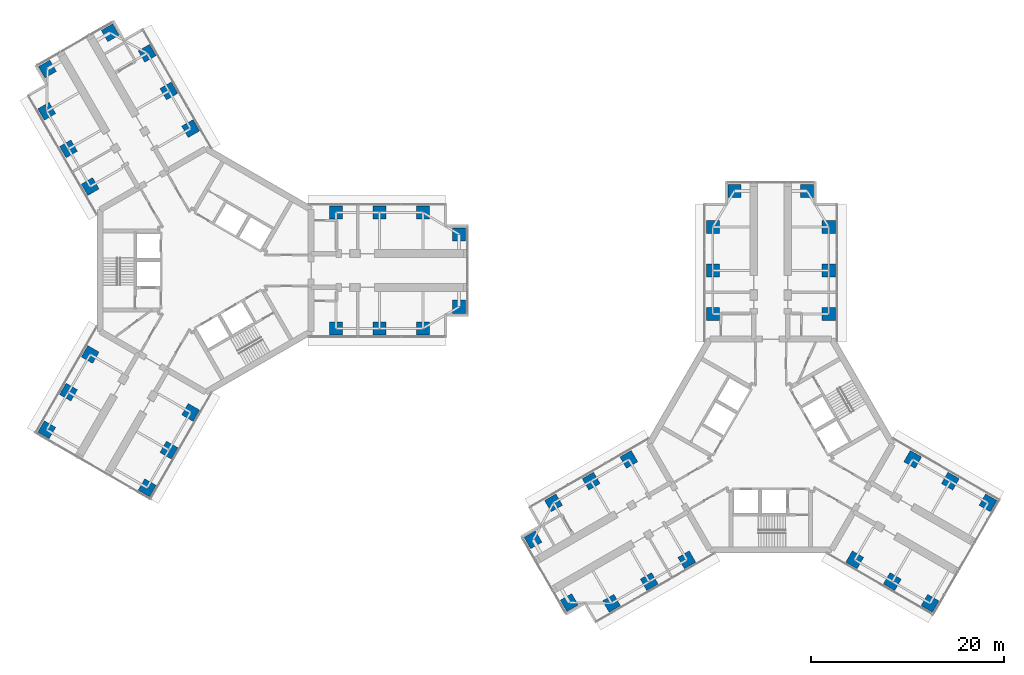
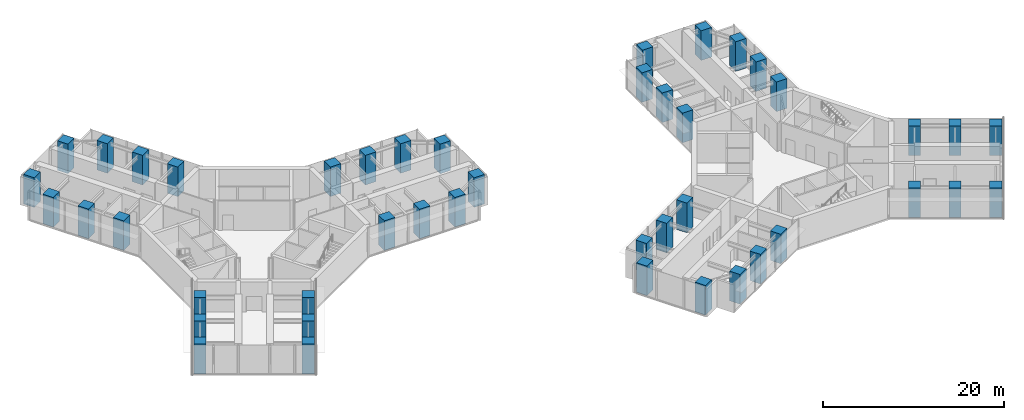
# One storey, part 1 of 21: 44 columns.
"""IFC4 building model written with IfcOpenShell, lengths in metres."""

from ifc_helpers import new_model, si_unit, direction, frame, origin, origin_2d, place, context, subcontext, project, spatial, rectangle, extrude, material, material_profile, profile_set, type_object, element, save


model = new_model("IFC4")

# Units and contexts
model_context = context("Model", 3, precision=1e-05, world=origin(), true_north=direction((0.0, 1.0)))
body_context = subcontext(model_context, "Body", "Model", "MODEL_VIEW")
ifc_project = project(units=[si_unit("LENGTHUNIT", "METRE"), si_unit("AREAUNIT", "SQUARE_METRE"), si_unit("VOLUMEUNIT", "CUBIC_METRE"), si_unit("PLANEANGLEUNIT", "RADIAN"), si_unit("MASSUNIT", "GRAM", prefix="KILO")], contexts=[model_context])

# Site, building, storey
site_placement = place(None, origin())
site = spatial("IfcSite", under=ifc_project, at=site_placement, CompositionType="ELEMENT")
building_placement = place(site_placement, origin())
building = spatial("IfcBuilding", under=site, at=building_placement, Name="Upepo Twin Towers", CompositionType="ELEMENT")
storey_placement = place(building_placement, frame((0.0, 0.0, 105.5)))
storey = spatial("IfcBuildingStorey", under=building, at=storey_placement, Name="L25", CompositionType="ELEMENT", Elevation=105.5)

# Columns
ifc_material = material(Name="Concrete C60/75", Category="concrete")
ifc_material_profile = material_profile(ifc_material, rectangle(XDim=1.35009765625, YDim=1.35009765625, at=origin_2d()), Name="RC 1350x1350")
ifc_profile_set = profile_set([ifc_material_profile], Name="Concrete C60/75")
column_type = type_object("IfcColumnType", Name="Tower column RC 1350x1350", PredefinedType="COLUMN", material=ifc_profile_set)
for number, where, z_axis, x_axis, name in (
    (1, (13.5, 6.0, 0.0), (0.0, 0.0, 1.0), (1.0, 0.0, 0.0), "T1 column AL135"),
    (2, (13.5, -6.0, 0.0), (0.0, 0.0, 1.0), (1.0, 0.0, 0.0), "T1 column AR135"),
    (3, (18.0, 6.0, 0.0), (0.0, 0.0, 1.0), (1.0, 0.0, 0.0), "T1 column AL180"),
    (4, (18.0, -6.0, 0.0), (0.0, 0.0, 1.0), (1.0, 0.0, 0.0), "T1 column AR180"),
    (5, (22.5, 6.0, 0.0), (0.0, 0.0, 1.0), (1.0, 0.0, 0.0), "T1 column AL225"),
    (6, (22.5, -6.0, 0.0), (0.0, 0.0, 1.0), (1.0, 0.0, 0.0), "T1 column AR225"),
    (7, (26.25, 3.75, 0.0), (0.0, 0.0, 1.0), (1.0, 0.0, 0.0), "T1 column ALN"),
    (8, (26.25, -3.75, 0.0), (0.0, 0.0, 1.0), (1.0, 0.0, 0.0), "T1 column ARN"),
    (9, (-11.946044921875, 8.69140625, 0.0), (0.0, 0.0, 1.0), (0.866025403784, 0.5, 0.0), "T1 column BL135"),
    (10, (-1.553955078125, 14.69140625, 0.0), (0.0, 0.0, 1.0), (0.866025403784, 0.5, 0.0), "T1 column BR135"),
    (11, (-14.196044921875, 12.58837890625, 0.0), (0.0, 0.0, 1.0), (0.866025403784, 0.5, 0.0), "T1 column BL180"),
    (12, (-3.803955078125, 18.58837890625, 0.0), (0.0, 0.0, 1.0), (0.866025403784, 0.5, 0.0), "T1 column BR180"),
    (13, (-16.446044921875, 16.485595703125, 0.0), (0.0, 0.0, 1.0), (0.866025403784, 0.5, 0.0), "T1 column BL225"),
    (14, (-6.053955078125, 22.485595703125, 0.0), (0.0, 0.0, 1.0), (0.866025403784, 0.5, 0.0), "T1 column BR225"),
    (15, (-16.37255859375, 20.858154296875, 0.0), (0.0, 0.0, 1.0), (0.866025403784, 0.5, 0.0), "T1 column BLN"),
    (16, (-9.87744140625, 24.608154296875, 0.0), (0.0, 0.0, 1.0), (0.866025403784, 0.5, 0.0), "T1 column BRN"),
    (17, (-1.553955078125, -14.69140625, 0.0), (0.0, 0.0, 1.0), (0.5, 0.866025403784, 0.0), "T1 column CL135"),
    (18, (-11.946044921875, -8.69140625, 0.0), (0.0, 0.0, 1.0), (0.5, 0.866025403784, 0.0), "T1 column CR135"),
    (19, (-3.803955078125, -18.58837890625, 0.0), (0.0, 0.0, 1.0), (0.5, 0.866025403784, 0.0), "T1 column CL180"),
    (20, (-14.196044921875, -12.58837890625, 0.0), (0.0, 0.0, 1.0), (0.5, 0.866025403784, 0.0), "T1 column CR180"),
    (21, (-6.053955078125, -22.485595703125, 0.0), (0.0, 0.0, 1.0), (0.5, 0.866025403784, 0.0), "T1 column CL225"),
    (22, (-16.446044921875, -16.485595703125, 0.0), (0.0, 0.0, 1.0), (0.5, 0.866025403784, 0.0), "T1 column CR225"),
    (23, (52.5, -4.5, 0.0), (0.0, 0.0, 1.0), (1.0, 0.0, 0.0), "T2 column AL135"),
    (24, (64.5, -4.5, 0.0), (0.0, 0.0, 1.0), (1.0, 0.0, 0.0), "T2 column AR135"),
    (25, (52.5, 0.0, 0.0), (0.0, 0.0, 1.0), (1.0, 0.0, 0.0), "T2 column AL180"),
    (26, (64.5, 0.0, 0.0), (0.0, 0.0, 1.0), (1.0, 0.0, 0.0), "T2 column AR180"),
    (27, (52.5, 4.5, 0.0), (0.0, 0.0, 1.0), (1.0, 0.0, 0.0), "T2 column AL225"),
    (28, (64.5, 4.5, 0.0), (0.0, 0.0, 1.0), (1.0, 0.0, 0.0), "T2 column AR225"),
    (29, (54.75, 8.25, 0.0), (0.0, 0.0, 1.0), (1.0, 0.0, 0.0), "T2 column ALN"),
    (30, (62.25, 8.25, 0.0), (0.0, 0.0, 1.0), (1.0, 0.0, 0.0), "T2 column ARN"),
    (31, (49.80859375, -29.946044921875, 0.0), (0.0, 0.0, 1.0), (0.866025403784, 0.5, 0.0), "T2 column BL135"),
    (32, (43.80859375, -19.553955078125, 0.0), (0.0, 0.0, 1.0), (0.866025403784, 0.5, 0.0), "T2 column BR135"),
    (33, (45.91162109375, -32.196044921875, 0.0), (0.0, 0.0, 1.0), (0.866025403784, 0.5, 0.0), "T2 column BL180"),
    (34, (39.91162109375, -21.803955078125, 0.0), (0.0, 0.0, 1.0), (0.866025403784, 0.5, 0.0), "T2 column BR180"),
    (35, (42.014404296875, -34.446044921875, 0.0), (0.0, 0.0, 1.0), (0.866025403784, 0.5, 0.0), "T2 column BL225"),
    (36, (36.014404296875, -24.053955078125, 0.0), (0.0, 0.0, 1.0), (0.866025403784, 0.5, 0.0), "T2 column BR225"),
    (37, (37.641845703125, -34.37255859375, 0.0), (0.0, 0.0, 1.0), (0.866025403784, 0.5, 0.0), "T2 column BLN"),
    (38, (33.891845703125, -27.87744140625, 0.0), (0.0, 0.0, 1.0), (0.866025403784, 0.5, 0.0), "T2 column BRN"),
    (39, (73.19140625, -19.553955078125, 0.0), (0.0, 0.0, 1.0), (0.5, 0.866025403784, 0.0), "T2 column CL135"),
    (40, (67.19140625, -29.946044921875, 0.0), (0.0, 0.0, 1.0), (0.5, 0.866025403784, 0.0), "T2 column CR135"),
    (41, (77.08837890625, -21.803955078125, 0.0), (0.0, 0.0, 1.0), (0.5, 0.866025403784, 0.0), "T2 column CL180"),
    (42, (71.08837890625, -32.196044921875, 0.0), (0.0, 0.0, 1.0), (0.5, 0.866025403784, 0.0), "T2 column CR180"),
    (43, (80.985595703125, -24.053955078125, 0.0), (0.0, 0.0, 1.0), (0.5, 0.866025403784, 0.0), "T2 column CL225"),
    (44, (74.985595703125, -34.446044921875, 0.0), (0.0, 0.0, 1.0), (0.5, 0.866025403784, 0.0), "T2 column CR225"),
):
    element("IfcColumn", number, at=place(storey_placement, frame(where, z_axis=z_axis, x_axis=x_axis)), inside=storey, type_object=column_type, Name=name, PredefinedType="COLUMN", context=body_context, shape_type="SweptSolid", body=[
        extrude(rectangle(XDim=1.35009765625, YDim=1.35009765625, at=origin_2d()), origin(), (0.0, 0.0, 1.0), 4.0),
    ])

save(model, "model.ifc")
